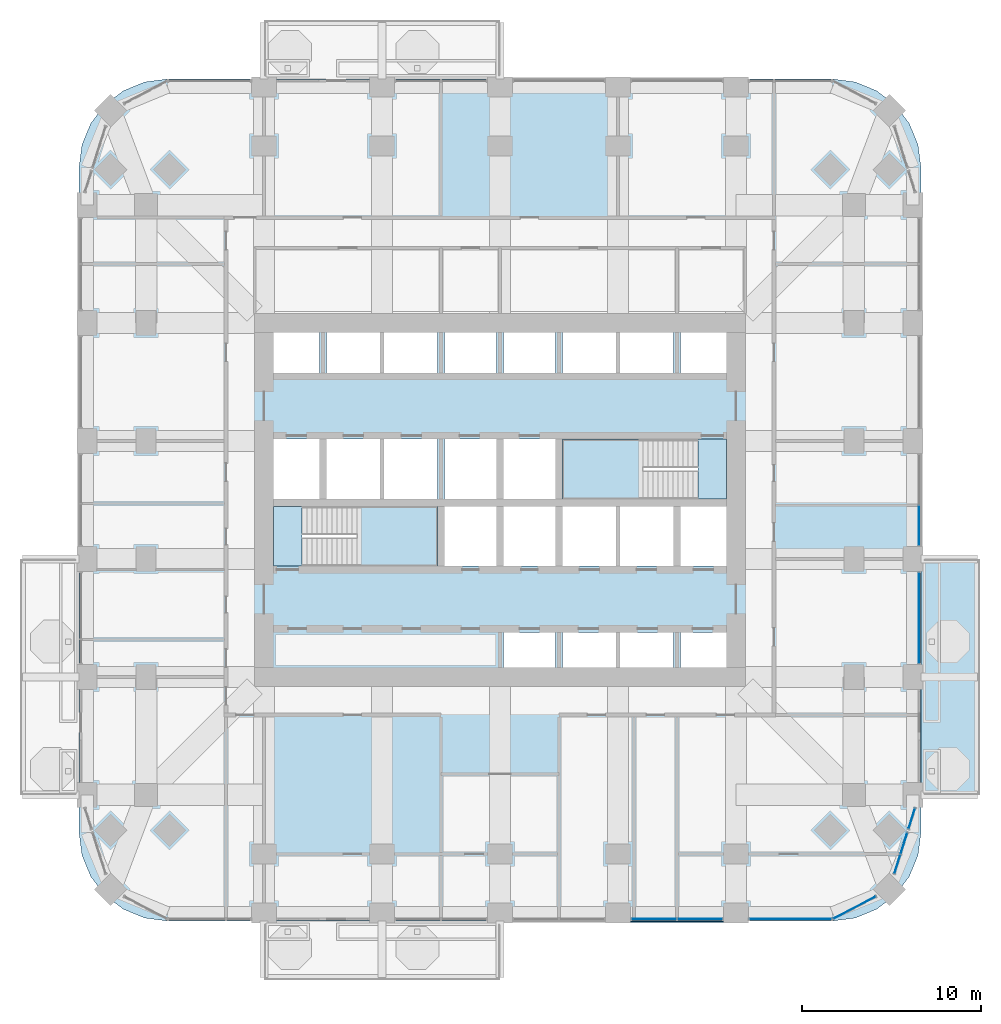
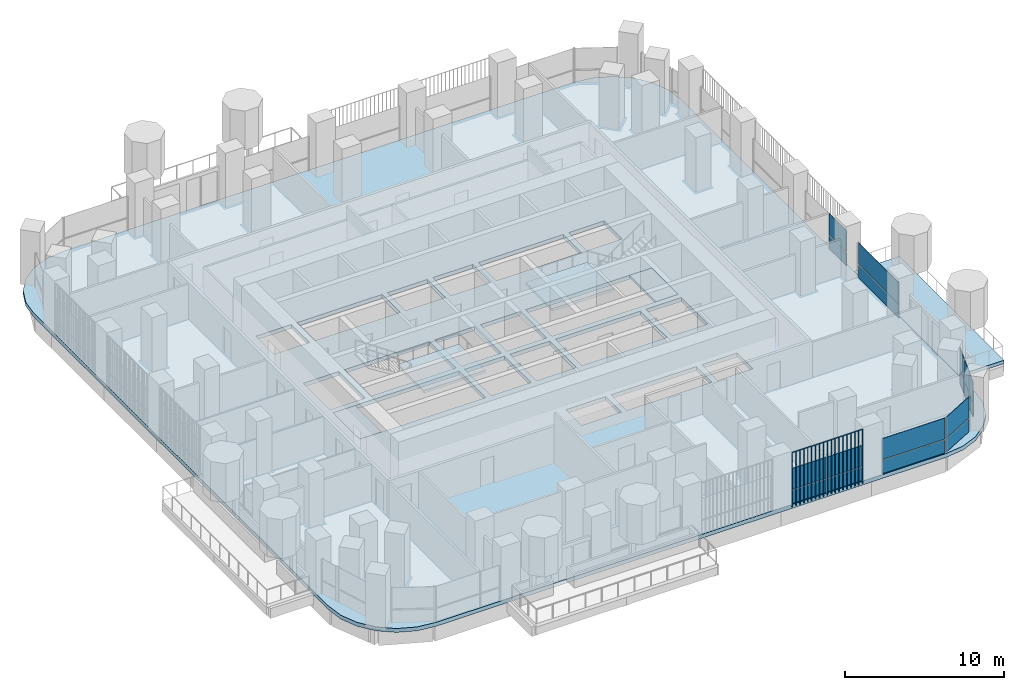
# One storey, part 9 of 21: 19 plates, 6 slabs, 9 elements without a shape of their own.
"""IFC4 building model written with IfcOpenShell, lengths in metres."""

from ifc_helpers import new_model, si_unit, direction, frame, origin, origin_2d, place, context, subcontext, project, spatial, polyline, rectangle, outline, extrude, material, layer, layer_set, type_object, element, aggregate, save


model = new_model("IFC4")

# Units and contexts
model_context = context("Model", 3, precision=1e-05, world=origin(), true_north=direction((0.0, 1.0)))
body_context = subcontext(model_context, "Body", "Model", "MODEL_VIEW")
ifc_project = project(units=[si_unit("LENGTHUNIT", "METRE"), si_unit("AREAUNIT", "SQUARE_METRE"), si_unit("VOLUMEUNIT", "CUBIC_METRE"), si_unit("PLANEANGLEUNIT", "RADIAN"), si_unit("MASSUNIT", "GRAM", prefix="KILO")], contexts=[model_context])

# Site, building, storey
site_placement = place(None, origin())
site = spatial("IfcSite", under=ifc_project, at=site_placement, CompositionType="ELEMENT")
building_placement = place(site_placement, origin())
building = spatial("IfcBuilding", under=site, at=building_placement, Name="Cobogo Forest Laboratory Tower", CompositionType="ELEMENT")
storey_placement = place(building_placement, frame((0.0, 0.0, 115.800048828125)))
storey = spatial("IfcBuildingStorey", under=building, at=storey_placement, Name="L26", CompositionType="ELEMENT", Elevation=115.800048828125)

# Slabs
ifc_material_1 = material(Name="Concrete HA-40 (C40/50)", Category="concrete")
ifc_layer_1 = layer(ifc_material_1, 0.25)
ifc_layer_set_1 = layer_set([ifc_layer_1], Name="Balcony slab 250")
slab_type_1 = type_object("IfcSlabType", Name="Balcony slab 250", PredefinedType="FLOOR", material=ifc_layer_set_1)
slab_1_placement = place(storey_placement, frame((0.0, 0.0, -0.25)))
element("IfcSlab", 1, at=slab_1_placement, inside=storey, type_object=slab_type_1, Name="Balcony BAL-E1 L26", PredefinedType="FLOOR", context=body_context, shape_type="SweptSolid", body=[
    extrude(outline(polyline([(49.949951171875, 6.60009765625), (53.25, 6.60009765625), (53.25, 19.800048828125), (49.949951171875, 19.800048828125), (49.949951171875, 6.60009765625)])), origin(), (0.0, 0.0, 1.0), 0.25),
])
ifc_layer_2 = layer(ifc_material_1, 0.300048828125)
ifc_layer_set_2 = layer_set([ifc_layer_2], Name="Floor slab 300")
slab_type_2 = type_object("IfcSlabType", Name="Floor slab 300", PredefinedType="FLOOR", material=ifc_layer_set_2)
slab_2_placement = place(storey_placement, frame((0.0, 0.0, -0.300048828125)))
element("IfcSlab", 2, at=slab_2_placement, inside=storey, type_object=slab_type_2, Name="L26 floor slab", PredefinedType="FLOOR", context=body_context, shape_type="SweptSolid", body=[
    extrude(outline(polyline([(45.0, -0.449951171875), (46.28125, -0.28125), (47.47509765625, 0.213134765625), (48.500244140625, 0.999755859375), (49.286865234375, 2.02490234375), (49.78125, 3.21875), (49.949951171875, 4.5), (49.949951171875, 41.699951171875), (49.78125, 42.981201171875), (49.286865234375, 44.175048828125), (48.500244140625, 45.2001953125), (47.47509765625, 45.98681640625), (46.28125, 46.4814453125), (45.0, 46.64990234375), (7.800048828125, 46.64990234375), (6.518798828125, 46.4814453125), (5.324951171875, 45.98681640625), (4.2998046875, 45.2001953125), (3.51318359375, 44.175048828125), (3.0185546875, 42.981201171875), (2.85009765625, 41.699951171875), (2.85009765625, 4.5), (3.0185546875, 3.21875), (3.51318359375, 2.02490234375), (4.2998046875, 0.999755859375), (5.324951171875, 0.213134765625), (6.518798828125, -0.28125), (7.800048828125, -0.449951171875), (45.0, -0.449951171875)]), holes=[polyline([(29.5, 13.72509765625), (26.60009765625, 13.72509765625), (26.60009765625, 15.699951171875), (29.5, 15.699951171875), (29.5, 13.72509765625)]), polyline([(36.10009765625, 15.699951171875), (36.10009765625, 13.72509765625), (29.89990234375, 13.72509765625), (29.89990234375, 15.699951171875), (36.10009765625, 15.699951171875)]), polyline([(36.5, 13.72509765625), (36.5, 15.699951171875), (39.074951171875, 15.699951171875), (39.074951171875, 13.72509765625), (36.5, 13.72509765625)]), polyline([(13.72509765625, 19.39990234375), (13.72509765625, 22.75), (22.89990234375, 22.75), (22.89990234375, 19.39990234375), (13.72509765625, 19.39990234375)]), polyline([(23.300048828125, 19.39990234375), (23.300048828125, 22.75), (26.199951171875, 22.75), (26.199951171875, 19.39990234375), (23.300048828125, 19.39990234375)]), polyline([(29.5, 19.39990234375), (26.60009765625, 19.39990234375), (26.60009765625, 22.75), (29.5, 22.75), (29.5, 19.39990234375)]), polyline([(36.10009765625, 22.75), (36.10009765625, 19.39990234375), (29.89990234375, 19.39990234375), (29.89990234375, 22.75), (36.10009765625, 22.75)]), polyline([(39.074951171875, 19.39990234375), (36.5, 19.39990234375), (36.5, 22.75), (39.074951171875, 22.75), (39.074951171875, 19.39990234375)]), polyline([(16.300048828125, 23.14990234375), (13.72509765625, 23.14990234375), (13.72509765625, 26.5), (16.300048828125, 26.5), (16.300048828125, 23.14990234375)]), polyline([(22.89990234375, 26.5), (22.89990234375, 23.14990234375), (16.699951171875, 23.14990234375), (16.699951171875, 26.5), (22.89990234375, 26.5)]), polyline([(26.199951171875, 23.14990234375), (23.300048828125, 23.14990234375), (23.300048828125, 26.5), (26.199951171875, 26.5), (26.199951171875, 23.14990234375)]), polyline([(26.60009765625, 23.14990234375), (26.60009765625, 26.5), (29.5, 26.5), (29.5, 23.14990234375), (26.60009765625, 23.14990234375)]), polyline([(29.89990234375, 23.14990234375), (29.89990234375, 26.5), (39.074951171875, 26.5), (39.074951171875, 23.14990234375), (29.89990234375, 23.14990234375)]), polyline([(13.72509765625, 30.199951171875), (13.72509765625, 32.47509765625), (16.300048828125, 32.47509765625), (16.300048828125, 30.199951171875), (13.72509765625, 30.199951171875)]), polyline([(22.89990234375, 32.47509765625), (22.89990234375, 30.199951171875), (16.699951171875, 30.199951171875), (16.699951171875, 32.47509765625), (22.89990234375, 32.47509765625)]), polyline([(23.300048828125, 30.199951171875), (23.300048828125, 32.47509765625), (26.199951171875, 32.47509765625), (26.199951171875, 30.199951171875), (23.300048828125, 30.199951171875)]), polyline([(26.60009765625, 30.199951171875), (26.60009765625, 32.47509765625), (29.5, 32.47509765625), (29.5, 30.199951171875), (26.60009765625, 30.199951171875)]), polyline([(36.10009765625, 32.47509765625), (36.10009765625, 30.199951171875), (29.89990234375, 30.199951171875), (29.89990234375, 32.47509765625), (36.10009765625, 32.47509765625)]), polyline([(36.5, 30.199951171875), (36.5, 32.47509765625), (39.074951171875, 32.47509765625), (39.074951171875, 30.199951171875), (36.5, 30.199951171875)])]), origin(), (0.0, 0.0, 1.0), 0.300048828125),
])

# Curtain wall, plates
ifc_material_2 = material(Name="Aluminium curtain wall", Category="aluminium")
curtain_wall_type = type_object("IfcCurtainWallType", Name="CW-1 unitised curtain wall, clear glazing, laboratory floors zones A and B", PredefinedType="USERDEFINED", material=ifc_material_2)
curtain_wall_1_placement = place(storey_placement, origin())
curtain_wall_1 = element("IfcCurtainWall", 3, at=curtain_wall_1_placement, inside=storey, type_object=curtain_wall_type, Name="Curtain wall 05 L26", ObjectType="UNITISED CURTAIN WALL", PredefinedType="USERDEFINED")
ifc_material_3 = material(Name="Clear insulated glass", Category="glass")
ifc_layer_3 = layer(ifc_material_3, 0.028076171875)
ifc_layer_set_3 = layer_set([ifc_layer_3], Name="GP-1 clear insulated glass unit 28")
plate_type_1 = type_object("IfcPlateType", Name="GP-1 clear insulated glass unit 28", PredefinedType="CURTAIN_PANEL", material=ifc_layer_set_3)
plate_1_placement = place(storey_placement, frame((35.014892578125, -0.35009765625, 0.0), z_axis=(0.0, 0.0, 1.0), x_axis=(1.0, 0.0, 0.0)))
plate_1 = element("IfcPlate", 4, at=plate_1_placement, type_object=plate_type_1, Name="CW-1 panel 1.1", PredefinedType="CURTAIN_PANEL", context=body_context, shape_type="SweptSolid", body=[
    extrude(rectangle(XDim=2.510009765625, YDim=0.028076171875, at=origin_2d()), origin(), (0.0, 0.0, 1.0), 1.02001953125),
])
plate_2_placement = place(storey_placement, frame((35.014892578125, -0.35009765625, 1.079833984375), z_axis=(0.0, 0.0, 1.0), x_axis=(1.0, 0.0, 0.0)))
plate_2 = element("IfcPlate", 5, at=plate_2_placement, type_object=plate_type_1, Name="CW-1 panel 1.2", PredefinedType="CURTAIN_PANEL", context=body_context, shape_type="SweptSolid", body=[
    extrude(rectangle(XDim=2.510009765625, YDim=0.028076171875, at=origin_2d()), origin(), (0.0, 0.0, 1.0), 1.6201171875),
])
plate_3_placement = place(storey_placement, frame((37.5849609375, -0.35009765625, 0.0), z_axis=(0.0, 0.0, 1.0), x_axis=(1.0, 0.0, 0.0)))
plate_3 = element("IfcPlate", 6, at=plate_3_placement, type_object=plate_type_1, Name="CW-1 panel 2.1", PredefinedType="CURTAIN_PANEL", context=body_context, shape_type="SweptSolid", body=[
    extrude(rectangle(XDim=2.510009765625, YDim=0.028076171875, at=origin_2d()), origin(), (0.0, 0.0, 1.0), 1.02001953125),
])
plate_4_placement = place(storey_placement, frame((37.5849609375, -0.35009765625, 1.079833984375), z_axis=(0.0, 0.0, 1.0), x_axis=(1.0, 0.0, 0.0)))
plate_4 = element("IfcPlate", 7, at=plate_4_placement, type_object=plate_type_1, Name="CW-1 panel 2.2", PredefinedType="CURTAIN_PANEL", context=body_context, shape_type="SweptSolid", body=[
    extrude(rectangle(XDim=2.510009765625, YDim=0.028076171875, at=origin_2d()), origin(), (0.0, 0.0, 1.0), 1.6201171875),
])
aggregate(curtain_wall_1, [plate_1, plate_2, plate_3, plate_4])

curtain_wall_2_placement = place(storey_placement, origin())
curtain_wall_2 = element("IfcCurtainWall", 8, at=curtain_wall_2_placement, inside=storey, type_object=curtain_wall_type, Name="Curtain wall 06 L26", ObjectType="UNITISED CURTAIN WALL", PredefinedType="USERDEFINED")
plate_5_placement = place(storey_placement, frame((42.64990234375, -0.35009765625, 0.0), z_axis=(0.0, 0.0, 1.0), x_axis=(1.0, 0.0, 0.0)))
plate_5 = element("IfcPlate", 9, at=plate_5_placement, type_object=plate_type_1, Name="CW-1 panel 1.1", PredefinedType="CURTAIN_PANEL", context=body_context, shape_type="SweptSolid", body=[
    extrude(rectangle(XDim=4.580078125, YDim=0.028076171875, at=origin_2d()), origin(), (0.0, 0.0, 1.0), 1.02001953125),
])
plate_6_placement = place(storey_placement, frame((42.64990234375, -0.35009765625, 1.079833984375), z_axis=(0.0, 0.0, 1.0), x_axis=(1.0, 0.0, 0.0)))
plate_6 = element("IfcPlate", 10, at=plate_6_placement, type_object=plate_type_1, Name="CW-1 panel 1.2", PredefinedType="CURTAIN_PANEL", context=body_context, shape_type="SweptSolid", body=[
    extrude(rectangle(XDim=4.580078125, YDim=0.028076171875, at=origin_2d()), origin(), (0.0, 0.0, 1.0), 1.6201171875),
])
aggregate(curtain_wall_2, [plate_5, plate_6])

curtain_wall_3_placement = place(storey_placement, origin())
curtain_wall_3 = element("IfcCurtainWall", 11, at=curtain_wall_3_placement, inside=storey, type_object=curtain_wall_type, Name="Curtain wall 07 L26", ObjectType="UNITISED CURTAIN WALL", PredefinedType="USERDEFINED")
plate_7_placement = place(storey_placement, frame((46.229248046875, 0.29443359375, 0.0), z_axis=(0.0, 0.0, 1.0), x_axis=(0.885686547075, 0.464283685186, 0.0)))
plate_7 = element("IfcPlate", 12, at=plate_7_placement, type_object=plate_type_1, Name="CW-1 panel 1.1", PredefinedType="CURTAIN_PANEL", context=body_context, shape_type="SweptSolid", body=[
    extrude(rectangle(XDim=2.655517578125, YDim=0.028076171875, at=origin_2d()), origin(), (0.0, 0.0, 1.0), 1.02001953125),
])
plate_8_placement = place(storey_placement, frame((46.229248046875, 0.29443359375, 1.079833984375), z_axis=(0.0, 0.0, 1.0), x_axis=(0.885686547075, 0.464283685186, 0.0)))
plate_8 = element("IfcPlate", 13, at=plate_8_placement, type_object=plate_type_1, Name="CW-1 panel 1.2", PredefinedType="CURTAIN_PANEL", context=body_context, shape_type="SweptSolid", body=[
    extrude(rectangle(XDim=2.655517578125, YDim=0.028076171875, at=origin_2d()), origin(), (0.0, 0.0, 1.0), 1.6201171875),
])
aggregate(curtain_wall_3, [plate_7, plate_8])

curtain_wall_4_placement = place(storey_placement, origin())
curtain_wall_4 = element("IfcCurtainWall", 14, at=curtain_wall_4_placement, inside=storey, type_object=curtain_wall_type, Name="Curtain wall 08 L26", ObjectType="UNITISED CURTAIN WALL", PredefinedType="USERDEFINED")
plate_9_placement = place(storey_placement, frame((48.6279296875, 2.73046875, 0.0), z_axis=(0.0, 0.0, 1.0), x_axis=(0.301135291996, 0.953581425949, 0.0)))
plate_9 = element("IfcPlate", 15, at=plate_9_placement, type_object=plate_type_1, Name="CW-1 panel 1.1", PredefinedType="CURTAIN_PANEL", context=body_context, shape_type="SweptSolid", body=[
    extrude(rectangle(XDim=1.083984375, YDim=0.028076171875, at=origin_2d()), origin(), (0.0, 0.0, 1.0), 1.02001953125),
])
plate_10_placement = place(storey_placement, frame((48.6279296875, 2.73046875, 1.079833984375), z_axis=(0.0, 0.0, 1.0), x_axis=(0.301135291996, 0.953581425949, 0.0)))
plate_10 = element("IfcPlate", 16, at=plate_10_placement, type_object=plate_type_1, Name="CW-1 panel 1.2", PredefinedType="CURTAIN_PANEL", context=body_context, shape_type="SweptSolid", body=[
    extrude(rectangle(XDim=1.083984375, YDim=0.028076171875, at=origin_2d()), origin(), (0.0, 0.0, 1.0), 1.6201171875),
])
plate_11_placement = place(storey_placement, frame((48.99365234375, 3.88818359375, 0.0), z_axis=(0.0, 0.0, 1.0), x_axis=(0.301135291996, 0.953581425949, 0.0)))
plate_11 = element("IfcPlate", 17, at=plate_11_placement, type_object=plate_type_1, Name="CW-1 panel 2.1", PredefinedType="CURTAIN_PANEL", context=body_context, shape_type="SweptSolid", body=[
    extrude(rectangle(XDim=1.223876953125, YDim=0.028076171875, at=origin_2d()), origin(), (0.0, 0.0, 1.0), 1.02001953125),
])
plate_12_placement = place(storey_placement, frame((48.99365234375, 3.88818359375, 1.079833984375), z_axis=(0.0, 0.0, 1.0), x_axis=(0.301135291996, 0.953581425949, 0.0)))
plate_12 = element("IfcPlate", 18, at=plate_12_placement, type_object=plate_type_1, Name="CW-1 panel 2.2", PredefinedType="CURTAIN_PANEL", context=body_context, shape_type="SweptSolid", body=[
    extrude(rectangle(XDim=1.223876953125, YDim=0.028076171875, at=origin_2d()), origin(), (0.0, 0.0, 1.0), 1.6201171875),
])
aggregate(curtain_wall_4, [plate_9, plate_10, plate_11, plate_12])

curtain_wall_5_placement = place(storey_placement, origin())
curtain_wall_5 = element("IfcCurtainWall", 19, at=curtain_wall_5_placement, inside=storey, type_object=curtain_wall_type, Name="Curtain wall 09 L26", ObjectType="UNITISED CURTAIN WALL", PredefinedType="USERDEFINED")
plate_13_placement = place(storey_placement, frame((49.433837890625, 5.2822265625, 0.0), z_axis=(0.0, 0.0, 1.0), x_axis=(0.301135356805, 0.953581405483, 0.0)))
plate_13 = element("IfcPlate", 20, at=plate_13_placement, type_object=plate_type_1, Name="CW-1 panel 1.1", PredefinedType="CURTAIN_PANEL", context=body_context, shape_type="SweptSolid", body=[
    extrude(rectangle(XDim=1.17578125, YDim=0.028076171875, at=origin_2d()), origin(), (0.0, 0.0, 1.0), 1.02001953125),
])
plate_14_placement = place(storey_placement, frame((49.433837890625, 5.2822265625, 1.079833984375), z_axis=(0.0, 0.0, 1.0), x_axis=(0.301135356805, 0.953581405483, 0.0)))
plate_14 = element("IfcPlate", 21, at=plate_14_placement, type_object=plate_type_1, Name="CW-1 panel 1.2", PredefinedType="CURTAIN_PANEL", context=body_context, shape_type="SweptSolid", body=[
    extrude(rectangle(XDim=1.17578125, YDim=0.028076171875, at=origin_2d()), origin(), (0.0, 0.0, 1.0), 1.6201171875),
])
aggregate(curtain_wall_5, [plate_13, plate_14])

curtain_wall_6_placement = place(storey_placement, origin())
curtain_wall_6 = element("IfcCurtainWall", 22, at=curtain_wall_6_placement, inside=storey, type_object=curtain_wall_type, Name="Curtain wall 11 L26", ObjectType="UNITISED CURTAIN WALL", PredefinedType="USERDEFINED")
plate_15_placement = place(storey_placement, frame((49.85009765625, 16.5, 0.0), z_axis=(0.0, 0.0, 1.0), x_axis=(0.0, 1.0, 0.0)))
plate_15 = element("IfcPlate", 23, at=plate_15_placement, type_object=plate_type_1, Name="CW-1 panel 1.1", PredefinedType="CURTAIN_PANEL", context=body_context, shape_type="SweptSolid", body=[
    extrude(rectangle(XDim=5.080078125, YDim=0.028076171875, at=origin_2d()), origin(), (0.0, 0.0, 1.0), 1.02001953125),
])
plate_16_placement = place(storey_placement, frame((49.85009765625, 16.5, 1.079833984375), z_axis=(0.0, 0.0, 1.0), x_axis=(0.0, 1.0, 0.0)))
plate_16 = element("IfcPlate", 24, at=plate_16_placement, type_object=plate_type_1, Name="CW-1 panel 1.2", PredefinedType="CURTAIN_PANEL", context=body_context, shape_type="SweptSolid", body=[
    extrude(rectangle(XDim=5.080078125, YDim=0.028076171875, at=origin_2d()), origin(), (0.0, 0.0, 1.0), 1.6201171875),
])
aggregate(curtain_wall_6, [plate_15, plate_16])

curtain_wall_7_placement = place(storey_placement, origin())
curtain_wall_7 = element("IfcCurtainWall", 25, at=curtain_wall_7_placement, inside=storey, type_object=curtain_wall_type, Name="Curtain wall 12 L26", ObjectType="UNITISED CURTAIN WALL", PredefinedType="USERDEFINED")
plate_17_placement = place(storey_placement, frame((49.85009765625, 21.6650390625, 0.0), z_axis=(0.0, 0.0, 1.0), x_axis=(0.0, 1.0, 0.0)))
plate_17 = element("IfcPlate", 26, at=plate_17_placement, type_object=plate_type_1, Name="CW-1 panel 1.1", PredefinedType="CURTAIN_PANEL", context=body_context, shape_type="SweptSolid", body=[
    extrude(rectangle(XDim=2.2099609375, YDim=0.028076171875, at=origin_2d()), origin(), (0.0, 0.0, 1.0), 1.02001953125),
])
plate_18_placement = place(storey_placement, frame((49.85009765625, 21.6650390625, 1.079833984375), z_axis=(0.0, 0.0, 1.0), x_axis=(0.0, 1.0, 0.0)))
plate_18 = element("IfcPlate", 27, at=plate_18_placement, type_object=plate_type_1, Name="CW-1 panel 1.2", PredefinedType="CURTAIN_PANEL", context=body_context, shape_type="SweptSolid", body=[
    extrude(rectangle(XDim=2.2099609375, YDim=0.028076171875, at=origin_2d()), origin(), (0.0, 0.0, 1.0), 1.6201171875),
])
aggregate(curtain_wall_7, [plate_17, plate_18])

# Stair, slabs
ifc_material_4 = material(Name="Precast concrete HA-40 (C40/50)", Category="concrete")
stair_type = type_object("IfcStairType", Name="ST24 exit stair 24 risers", PredefinedType="HALF_TURN_STAIR", material=ifc_material_4)
stair_1_placement = place(storey_placement, origin())
stair_1 = element("IfcStair", 28, at=stair_1_placement, inside=storey, type_object=stair_type, Name="Stair 1 L26 to L27", PredefinedType="HALF_TURN_STAIR")
ifc_layer_4 = layer(ifc_material_1, 0.199951171875)
ifc_layer_set_4 = layer_set([ifc_layer_4], Name="SL stair landing 200")
slab_type_3 = type_object("IfcSlabType", Name="SL stair landing 200", PredefinedType="LANDING", material=ifc_layer_set_4)
slab_3_placement = place(storey_placement, frame((0.0, 0.0, -0.199951171875)))
slab_3 = element("IfcSlab", 29, at=slab_3_placement, type_object=slab_type_3, Name="ST1 landing 1", PredefinedType="LANDING", context=body_context, shape_type="SweptSolid", body=[
    extrude(outline(polyline([(13.72509765625, 19.39990234375), (15.326904296875, 19.39990234375), (15.326904296875, 22.75), (13.72509765625, 22.75), (13.72509765625, 19.39990234375)])), origin(), (0.0, 0.0, 1.0), 0.199951171875),
])
slab_4_placement = place(storey_placement, frame((0.0, 0.0, 1.89990234375)))
slab_4 = element("IfcSlab", 30, at=slab_4_placement, type_object=slab_type_3, Name="ST1 landing 2", PredefinedType="LANDING", context=body_context, shape_type="SweptSolid", body=[
    extrude(outline(polyline([(18.403076171875, 19.39990234375), (22.89990234375, 19.39990234375), (22.89990234375, 22.75), (18.403076171875, 22.75), (18.403076171875, 19.39990234375)])), origin(), (0.0, 0.0, 1.0), 0.199951171875),
])
aggregate(stair_1, [slab_3, slab_4])

stair_2_placement = place(storey_placement, origin())
stair_2 = element("IfcStair", 31, at=stair_2_placement, inside=storey, type_object=stair_type, Name="Stair 2 L26 to L27", PredefinedType="HALF_TURN_STAIR")
slab_5_placement = place(storey_placement, frame((0.0, 0.0, -0.199951171875)))
slab_5 = element("IfcSlab", 32, at=slab_5_placement, type_object=slab_type_3, Name="ST2 landing 1", PredefinedType="LANDING", context=body_context, shape_type="SweptSolid", body=[
    extrude(outline(polyline([(37.472900390625, 23.14990234375), (39.074951171875, 23.14990234375), (39.074951171875, 26.5), (37.472900390625, 26.5), (37.472900390625, 23.14990234375)])), origin(), (0.0, 0.0, 1.0), 0.199951171875),
])
slab_6_placement = place(storey_placement, frame((0.0, 0.0, 1.89990234375)))
slab_6 = element("IfcSlab", 33, at=slab_6_placement, type_object=slab_type_3, Name="ST2 landing 2", PredefinedType="LANDING", context=body_context, shape_type="SweptSolid", body=[
    extrude(outline(polyline([(29.89990234375, 23.14990234375), (34.39697265625, 23.14990234375), (34.39697265625, 26.5), (29.89990234375, 26.5), (29.89990234375, 23.14990234375)])), origin(), (0.0, 0.0, 1.0), 0.199951171875),
])
aggregate(stair_2, [slab_5, slab_6])

# Plate
ifc_material_5 = material(Name="Terracotta", Category="masonry")
plate_type_2 = type_object("IfcPlateType", Name="TB1 terracotta baguette screen", PredefinedType="USERDEFINED", material=ifc_material_5)
plate_19_placement = place(storey_placement, frame((33.731201171875, -0.477783203125, -0.150146484375)))
element("IfcPlate", 34, at=plate_19_placement, inside=storey, type_object=plate_type_2, Name="Baguette screen S4 L26", ObjectType="BAGUETTE SCREEN", PredefinedType="USERDEFINED", context=body_context, shape_type="SweptSolid", body=[
    extrude(outline(polyline([(0.02880859375, 0.011962890625), (0.011962890625, 0.02880859375), (-0.011962890625, 0.02880859375), (-0.02880859375, 0.011962890625), (-0.02880859375, -0.011962890625), (-0.011962890625, -0.02880859375), (0.011962890625, -0.02880859375), (0.02880859375, -0.011962890625), (0.02880859375, 0.011962890625)])), frame((0.0, 0.0, 4.168701171875), z_axis=(1.0, 0.0, 0.0), x_axis=(0.0, 1.0, 0.0)), (0.0, 0.0, 1.0), 5.137451171875),
    extrude(outline(polyline([(0.02880859375, 0.011962890625), (0.011962890625, 0.02880859375), (-0.011962890625, 0.02880859375), (-0.02880859375, 0.011962890625), (-0.02880859375, -0.011962890625), (-0.011962890625, -0.02880859375), (0.011962890625, -0.02880859375), (0.02880859375, -0.011962890625), (0.02880859375, 0.011962890625)])), origin(), (0.0, 0.0, 1.0), 4.137451171875),
    extrude(outline(polyline([(0.02880859375, 0.011962890625), (0.011962890625, 0.02880859375), (-0.011962890625, 0.02880859375), (-0.02880859375, 0.011962890625), (-0.02880859375, -0.011962890625), (-0.011962890625, -0.02880859375), (0.011962890625, -0.02880859375), (0.02880859375, -0.011962890625), (0.02880859375, 0.011962890625)])), frame((0.285400390625, 0.0, 0.0)), (0.0, 0.0, 1.0), 4.137451171875),
    extrude(outline(polyline([(0.02880859375, 0.011962890625), (0.011962890625, 0.02880859375), (-0.011962890625, 0.02880859375), (-0.02880859375, 0.011962890625), (-0.02880859375, -0.011962890625), (-0.011962890625, -0.02880859375), (0.011962890625, -0.02880859375), (0.02880859375, -0.011962890625), (0.02880859375, 0.011962890625)])), frame((0.57080078125, 0.0, 0.0)), (0.0, 0.0, 1.0), 4.137451171875),
    extrude(outline(polyline([(0.02880859375, 0.011962890625), (0.011962890625, 0.02880859375), (-0.011962890625, 0.02880859375), (-0.02880859375, 0.011962890625), (-0.02880859375, -0.011962890625), (-0.011962890625, -0.02880859375), (0.011962890625, -0.02880859375), (0.02880859375, -0.011962890625), (0.02880859375, 0.011962890625)])), frame((0.856201171875, 0.0, 0.0)), (0.0, 0.0, 1.0), 4.137451171875),
    extrude(outline(polyline([(0.02880859375, 0.011962890625), (0.011962890625, 0.02880859375), (-0.011962890625, 0.02880859375), (-0.02880859375, 0.011962890625), (-0.02880859375, -0.011962890625), (-0.011962890625, -0.02880859375), (0.011962890625, -0.02880859375), (0.02880859375, -0.011962890625), (0.02880859375, 0.011962890625)])), frame((1.1416015625, 0.0, 0.0)), (0.0, 0.0, 1.0), 4.137451171875),
    extrude(outline(polyline([(0.02880859375, 0.011962890625), (0.011962890625, 0.02880859375), (-0.011962890625, 0.02880859375), (-0.02880859375, 0.011962890625), (-0.02880859375, -0.011962890625), (-0.011962890625, -0.02880859375), (0.011962890625, -0.02880859375), (0.02880859375, -0.011962890625), (0.02880859375, 0.011962890625)])), frame((1.427001953125, 0.0, 0.0)), (0.0, 0.0, 1.0), 4.137451171875),
    extrude(outline(polyline([(0.02880859375, 0.011962890625), (0.011962890625, 0.02880859375), (-0.011962890625, 0.02880859375), (-0.02880859375, 0.011962890625), (-0.02880859375, -0.011962890625), (-0.011962890625, -0.02880859375), (0.011962890625, -0.02880859375), (0.02880859375, -0.011962890625), (0.02880859375, 0.011962890625)])), frame((1.71240234375, 0.0, 0.0)), (0.0, 0.0, 1.0), 4.137451171875),
    extrude(outline(polyline([(0.02880859375, 0.011962890625), (0.011962890625, 0.02880859375), (-0.011962890625, 0.02880859375), (-0.02880859375, 0.011962890625), (-0.02880859375, -0.011962890625), (-0.011962890625, -0.02880859375), (0.011962890625, -0.02880859375), (0.02880859375, -0.011962890625), (0.02880859375, 0.011962890625)])), frame((1.997802734375, 0.0, 0.0)), (0.0, 0.0, 1.0), 4.137451171875),
    extrude(outline(polyline([(0.02880859375, 0.011962890625), (0.011962890625, 0.02880859375), (-0.011962890625, 0.02880859375), (-0.02880859375, 0.011962890625), (-0.02880859375, -0.011962890625), (-0.011962890625, -0.02880859375), (0.011962890625, -0.02880859375), (0.02880859375, -0.011962890625), (0.02880859375, 0.011962890625)])), frame((2.283203125, 0.0, 0.0)), (0.0, 0.0, 1.0), 4.137451171875),
    extrude(outline(polyline([(0.02880859375, 0.011962890625), (0.011962890625, 0.02880859375), (-0.011962890625, 0.02880859375), (-0.02880859375, 0.011962890625), (-0.02880859375, -0.011962890625), (-0.011962890625, -0.02880859375), (0.011962890625, -0.02880859375), (0.02880859375, -0.011962890625), (0.02880859375, 0.011962890625)])), frame((2.56884765625, 0.0, 0.0)), (0.0, 0.0, 1.0), 4.137451171875),
    extrude(outline(polyline([(0.02880859375, 0.011962890625), (0.011962890625, 0.02880859375), (-0.011962890625, 0.02880859375), (-0.02880859375, 0.011962890625), (-0.02880859375, -0.011962890625), (-0.011962890625, -0.02880859375), (0.011962890625, -0.02880859375), (0.02880859375, -0.011962890625), (0.02880859375, 0.011962890625)])), frame((2.854248046875, 0.0, 0.0)), (0.0, 0.0, 1.0), 4.137451171875),
    extrude(outline(polyline([(0.02880859375, 0.011962890625), (0.011962890625, 0.02880859375), (-0.011962890625, 0.02880859375), (-0.02880859375, 0.011962890625), (-0.02880859375, -0.011962890625), (-0.011962890625, -0.02880859375), (0.011962890625, -0.02880859375), (0.02880859375, -0.011962890625), (0.02880859375, 0.011962890625)])), frame((3.1396484375, 0.0, 0.0)), (0.0, 0.0, 1.0), 4.137451171875),
    extrude(outline(polyline([(0.02880859375, 0.011962890625), (0.011962890625, 0.02880859375), (-0.011962890625, 0.02880859375), (-0.02880859375, 0.011962890625), (-0.02880859375, -0.011962890625), (-0.011962890625, -0.02880859375), (0.011962890625, -0.02880859375), (0.02880859375, -0.011962890625), (0.02880859375, 0.011962890625)])), frame((3.425048828125, 0.0, 0.0)), (0.0, 0.0, 1.0), 4.137451171875),
    extrude(outline(polyline([(0.02880859375, 0.011962890625), (0.011962890625, 0.02880859375), (-0.011962890625, 0.02880859375), (-0.02880859375, 0.011962890625), (-0.02880859375, -0.011962890625), (-0.011962890625, -0.02880859375), (0.011962890625, -0.02880859375), (0.02880859375, -0.011962890625), (0.02880859375, 0.011962890625)])), frame((3.71044921875, 0.0, 0.0)), (0.0, 0.0, 1.0), 4.137451171875),
    extrude(outline(polyline([(0.02880859375, 0.011962890625), (0.011962890625, 0.02880859375), (-0.011962890625, 0.02880859375), (-0.02880859375, 0.011962890625), (-0.02880859375, -0.011962890625), (-0.011962890625, -0.02880859375), (0.011962890625, -0.02880859375), (0.02880859375, -0.011962890625), (0.02880859375, 0.011962890625)])), frame((3.995849609375, 0.0, 0.0)), (0.0, 0.0, 1.0), 4.137451171875),
    extrude(outline(polyline([(0.02880859375, 0.011962890625), (0.011962890625, 0.02880859375), (-0.011962890625, 0.02880859375), (-0.02880859375, 0.011962890625), (-0.02880859375, -0.011962890625), (-0.011962890625, -0.02880859375), (0.011962890625, -0.02880859375), (0.02880859375, -0.011962890625), (0.02880859375, 0.011962890625)])), frame((4.28125, 0.0, 0.0)), (0.0, 0.0, 1.0), 4.137451171875),
    extrude(outline(polyline([(0.02880859375, 0.011962890625), (0.011962890625, 0.02880859375), (-0.011962890625, 0.02880859375), (-0.02880859375, 0.011962890625), (-0.02880859375, -0.011962890625), (-0.011962890625, -0.02880859375), (0.011962890625, -0.02880859375), (0.02880859375, -0.011962890625), (0.02880859375, 0.011962890625)])), frame((4.566650390625, 0.0, 0.0)), (0.0, 0.0, 1.0), 4.137451171875),
    extrude(outline(polyline([(0.02880859375, 0.011962890625), (0.011962890625, 0.02880859375), (-0.011962890625, 0.02880859375), (-0.02880859375, 0.011962890625), (-0.02880859375, -0.011962890625), (-0.011962890625, -0.02880859375), (0.011962890625, -0.02880859375), (0.02880859375, -0.011962890625), (0.02880859375, 0.011962890625)])), frame((4.85205078125, 0.0, 0.0)), (0.0, 0.0, 1.0), 4.137451171875),
    extrude(outline(polyline([(0.02880859375, 0.011962890625), (0.011962890625, 0.02880859375), (-0.011962890625, 0.02880859375), (-0.02880859375, 0.011962890625), (-0.02880859375, -0.011962890625), (-0.011962890625, -0.02880859375), (0.011962890625, -0.02880859375), (0.02880859375, -0.011962890625), (0.02880859375, 0.011962890625)])), frame((5.137451171875, 0.0, 0.0)), (0.0, 0.0, 1.0), 4.137451171875),
])

save(model, "model.ifc")
